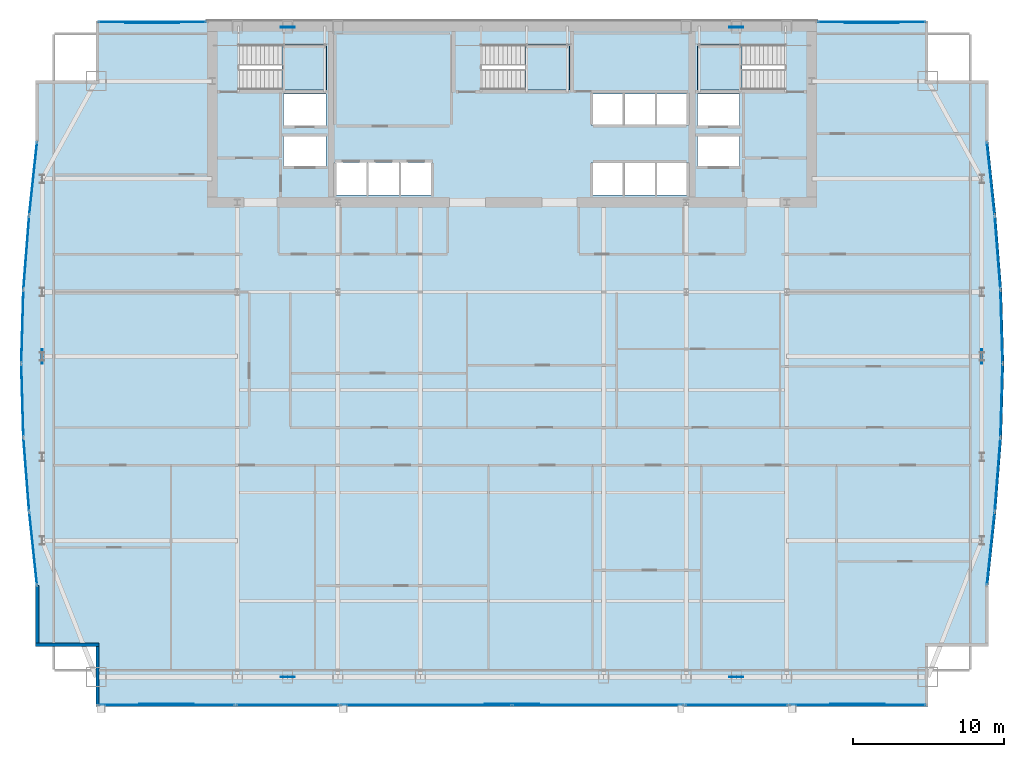
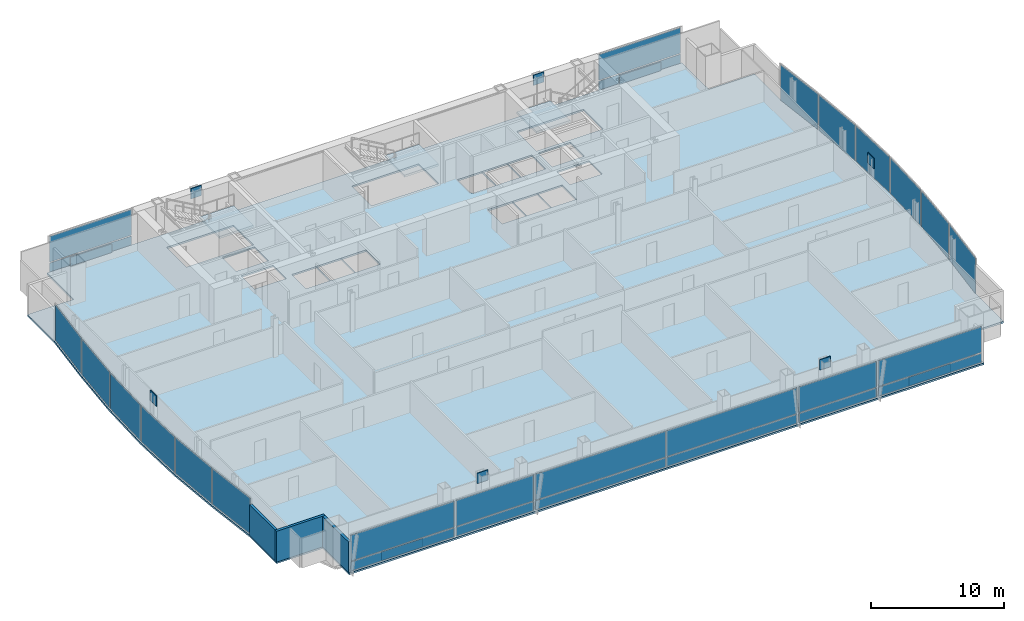
# One storey, part 23 of 29: 39 plates, 4 slabs, 3 walls, 22 elements without a shape of their own.
"""IFC4 building model written with IfcOpenShell, lengths in metres."""

from ifc_helpers import new_model, si_unit, direction, frame, frame_2d, origin, origin_2d, place, context, subcontext, project, spatial, polyline, rectangle, outline, extrude, material, layer, layer_set, type_object, element, aggregate, save


model = new_model("IFC4")

# Units and contexts
model_context = context("Model", 3, precision=1e-05, world=origin(), true_north=direction((0.0, 1.0)))
body_context = subcontext(model_context, "Body", "Model", "MODEL_VIEW")
ifc_project = project(units=[si_unit("LENGTHUNIT", "METRE"), si_unit("AREAUNIT", "SQUARE_METRE"), si_unit("VOLUMEUNIT", "CUBIC_METRE"), si_unit("PLANEANGLEUNIT", "RADIAN"), si_unit("MASSUNIT", "GRAM", prefix="KILO")], contexts=[model_context])

# Site, building, storey
site_placement = place(None, origin())
site = spatial("IfcSite", under=ifc_project, at=site_placement, CompositionType="ELEMENT")
building_placement = place(site_placement, origin())
building = spatial("IfcBuilding", under=site, at=building_placement, Name="Khoronbel Lancet Exchange", CompositionType="ELEMENT")
storey_placement = place(building_placement, frame((0.0, 0.0, 143.39990234375)))
storey = spatial("IfcBuildingStorey", under=building, at=storey_placement, Name="L35", CompositionType="ELEMENT", Elevation=143.39990234375)

# Curtain wall, plate
ifc_material_1 = material(Name="Low-E Solar Control Insulating Glass", Category="glass")
curtain_wall_type_1 = type_object("IfcCurtainWallType", Name="CW-4", PredefinedType="NOTDEFINED", material=ifc_material_1)
curtain_wall_1_placement = place(storey_placement, origin())
curtain_wall_1 = element("IfcCurtainWall", 1, at=curtain_wall_1_placement, inside=storey, type_object=curtain_wall_type_1, Name="Unitised curtain wall CW-L35-E05", PredefinedType="NOTDEFINED")
ifc_material_2 = material(Name="Bronze-Anodised Aluminium 6063-T6", Category="aluminium")
ifc_layer_1 = layer(ifc_material_2, 0.050048828125, Name="Bronze-Anodised Aluminium 6063-T6")
ifc_layer_set_1 = layer_set([ifc_layer_1], Name="Bronze-Anodised Aluminium 6063-T6")
plate_type_1 = type_object("IfcPlateType", Name="PLT-CSP1", PredefinedType="SHEET", material=ifc_layer_set_1)
plate_1_placement = place(storey_placement, frame((4.22265625, 23.58154296875, 0.085205078125), z_axis=(0.0, 0.0, 1.0), x_axis=(-0.077920756627, 0.996959555693, 0.0)))
plate_1 = element("IfcPlate", 2, at=plate_1_placement, type_object=plate_type_1, Name="CW4 panel 1.1", PredefinedType="CURTAIN_PANEL", context=body_context, shape_type="SweptSolid", body=[
    extrude(rectangle(XDim=4.778076171875, YDim=0.0380859375, at=origin_2d()), origin(), (0.0, 0.0, 1.0), 3.27001953125),
])
aggregate(curtain_wall_1, [plate_1])

curtain_wall_2_placement = place(storey_placement, origin())
curtain_wall_2 = element("IfcCurtainWall", 3, at=curtain_wall_2_placement, inside=storey, type_object=curtain_wall_type_1, Name="Unitised curtain wall CW-L35-E06", PredefinedType="NOTDEFINED")
plate_2_placement = place(storey_placement, frame((3.960205078125, 28.494140625, 0.085205078125), z_axis=(0.0, 0.0, 1.0), x_axis=(-0.028612641702, 0.999590574553, 0.0)))
plate_2 = element("IfcPlate", 4, at=plate_2_placement, type_object=plate_type_1, Name="CW4 panel 1.1", PredefinedType="CURTAIN_PANEL", context=body_context, shape_type="SweptSolid", body=[
    extrude(rectangle(XDim=4.763916015625, YDim=0.0380859375, at=origin_2d()), origin(), (0.0, 0.0, 1.0), 3.27001953125),
])
aggregate(curtain_wall_2, [plate_2])

curtain_wall_3_placement = place(storey_placement, origin())
curtain_wall_3 = element("IfcCurtainWall", 5, at=curtain_wall_3_placement, inside=storey, type_object=curtain_wall_type_1, Name="Unitised curtain wall CW-L35-E07", PredefinedType="NOTDEFINED")
plate_3_placement = place(storey_placement, frame((3.960205078125, 33.406005859375, 0.085205078125), z_axis=(0.0, 0.0, 1.0), x_axis=(0.028612641702, 0.999590574553, 0.0)))
plate_3 = element("IfcPlate", 6, at=plate_3_placement, type_object=plate_type_1, Name="CW4 panel 1.1", PredefinedType="CURTAIN_PANEL", context=body_context, shape_type="SweptSolid", body=[
    extrude(rectangle(XDim=4.763916015625, YDim=0.0380859375, at=origin_2d()), origin(), (0.0, 0.0, 1.0), 3.27001953125),
])
aggregate(curtain_wall_3, [plate_3])

curtain_wall_4_placement = place(storey_placement, origin())
curtain_wall_4 = element("IfcCurtainWall", 7, at=curtain_wall_4_placement, inside=storey, type_object=curtain_wall_type_1, Name="Unitised curtain wall CW-L35-E08", PredefinedType="NOTDEFINED")
plate_4_placement = place(storey_placement, frame((4.22265625, 38.318359375, 0.085205078125), z_axis=(0.0, 0.0, 1.0), x_axis=(0.077920756627, 0.996959555693, 0.0)))
plate_4 = element("IfcPlate", 8, at=plate_4_placement, type_object=plate_type_1, Name="CW4 panel 1.1", PredefinedType="CURTAIN_PANEL", context=body_context, shape_type="SweptSolid", body=[
    extrude(rectangle(XDim=4.778076171875, YDim=0.0380859375, at=origin_2d()), origin(), (0.0, 0.0, 1.0), 3.27001953125),
])
aggregate(curtain_wall_4, [plate_4])

curtain_wall_type_2 = type_object("IfcCurtainWallType", Name="CW-3", PredefinedType="NOTDEFINED", material=ifc_material_1)
curtain_wall_5_placement = place(storey_placement, origin())
curtain_wall_5 = element("IfcCurtainWall", 9, at=curtain_wall_5_placement, inside=storey, type_object=curtain_wall_type_2, Name="Unitised curtain wall CW-L35-NWFLK", PredefinedType="NOTDEFINED")
plate_5_placement = place(storey_placement, frame((12.580078125, 53.550048828125, 0.05029296875), z_axis=(0.0, 0.0, 1.0), x_axis=(-1.0, 0.0, 0.0)))
plate_5 = element("IfcPlate", 10, at=plate_5_placement, type_object=plate_type_1, Name="Insulated bronze spandrel cassette CW-L35-NWFLK", PredefinedType="SHEET", context=body_context, shape_type="SweptSolid", body=[
    extrude(rectangle(XDim=3.60009765625, YDim=0.050048828125, at=origin_2d()), origin(), (0.0, 0.0, 1.0), 0.800048828125),
])

curtain_wall_6_placement = place(storey_placement, origin())
curtain_wall_6 = element("IfcCurtainWall", 11, at=curtain_wall_6_placement, inside=storey, type_object=curtain_wall_type_2, Name="Unitised curtain wall CW-L35-NEFLK", PredefinedType="NOTDEFINED")
plate_6_placement = place(storey_placement, frame((60.320068359375, 53.550048828125, 0.05029296875), z_axis=(0.0, 0.0, 1.0), x_axis=(-1.0, 0.0, 0.0)))
plate_6 = element("IfcPlate", 12, at=plate_6_placement, type_object=plate_type_1, Name="Insulated bronze spandrel cassette CW-L35-NEFLK", PredefinedType="SHEET", context=body_context, shape_type="SweptSolid", body=[
    extrude(rectangle(XDim=3.60009765625, YDim=0.050048828125, at=origin_2d()), origin(), (0.0, 0.0, 1.0), 0.800048828125),
])

curtain_wall_7_placement = place(storey_placement, origin())
curtain_wall_7 = element("IfcCurtainWall", 13, at=curtain_wall_7_placement, inside=storey, type_object=curtain_wall_type_1, Name="Unitised curtain wall CW-L35-E18", PredefinedType="NOTDEFINED")
plate_7_placement = place(storey_placement, frame((68.677490234375, 38.318359375, 0.085205078125), z_axis=(0.0, 0.0, 1.0), x_axis=(0.077920756627, -0.996959555693, 0.0)))
plate_7 = element("IfcPlate", 14, at=plate_7_placement, type_object=plate_type_1, Name="CW4 panel 1.1", PredefinedType="CURTAIN_PANEL", context=body_context, shape_type="SweptSolid", body=[
    extrude(rectangle(XDim=4.778076171875, YDim=0.0380859375, at=origin_2d()), origin(), (0.0, 0.0, 1.0), 3.27001953125),
])
aggregate(curtain_wall_7, [plate_7])

curtain_wall_8_placement = place(storey_placement, origin())
curtain_wall_8 = element("IfcCurtainWall", 15, at=curtain_wall_8_placement, inside=storey, type_object=curtain_wall_type_1, Name="Unitised curtain wall CW-L35-E19", PredefinedType="NOTDEFINED")
plate_8_placement = place(storey_placement, frame((68.939697265625, 33.406005859375, 0.085205078125), z_axis=(0.0, 0.0, 1.0), x_axis=(0.028612641702, -0.999590574553, 0.0)))
plate_8 = element("IfcPlate", 16, at=plate_8_placement, type_object=plate_type_1, Name="CW4 panel 1.1", PredefinedType="CURTAIN_PANEL", context=body_context, shape_type="SweptSolid", body=[
    extrude(rectangle(XDim=4.763916015625, YDim=0.0380859375, at=origin_2d()), origin(), (0.0, 0.0, 1.0), 3.27001953125),
])
aggregate(curtain_wall_8, [plate_8])

curtain_wall_9_placement = place(storey_placement, origin())
curtain_wall_9 = element("IfcCurtainWall", 17, at=curtain_wall_9_placement, inside=storey, type_object=curtain_wall_type_1, Name="Unitised curtain wall CW-L35-E20", PredefinedType="NOTDEFINED")
plate_9_placement = place(storey_placement, frame((68.939697265625, 28.494140625, 0.085205078125), z_axis=(0.0, 0.0, 1.0), x_axis=(-0.028612641702, -0.999590574553, 0.0)))
plate_9 = element("IfcPlate", 18, at=plate_9_placement, type_object=plate_type_1, Name="CW4 panel 1.1", PredefinedType="CURTAIN_PANEL", context=body_context, shape_type="SweptSolid", body=[
    extrude(rectangle(XDim=4.763916015625, YDim=0.0380859375, at=origin_2d()), origin(), (0.0, 0.0, 1.0), 3.27001953125),
])
aggregate(curtain_wall_9, [plate_9])

curtain_wall_10_placement = place(storey_placement, origin())
curtain_wall_10 = element("IfcCurtainWall", 19, at=curtain_wall_10_placement, inside=storey, type_object=curtain_wall_type_1, Name="Unitised curtain wall CW-L35-E21", PredefinedType="NOTDEFINED")
plate_10_placement = place(storey_placement, frame((68.677490234375, 23.58154296875, 0.085205078125), z_axis=(0.0, 0.0, 1.0), x_axis=(-0.077920756627, -0.996959555693, 0.0)))
plate_10 = element("IfcPlate", 20, at=plate_10_placement, type_object=plate_type_1, Name="CW4 panel 1.1", PredefinedType="CURTAIN_PANEL", context=body_context, shape_type="SweptSolid", body=[
    extrude(rectangle(XDim=4.778076171875, YDim=0.0380859375, at=origin_2d()), origin(), (0.0, 0.0, 1.0), 3.27001953125),
])
aggregate(curtain_wall_10, [plate_10])

curtain_wall_11_placement = place(storey_placement, origin())
curtain_wall_11 = element("IfcCurtainWall", 21, at=curtain_wall_11_placement, inside=storey, type_object=curtain_wall_type_2, Name="Unitised curtain wall CW-L35-SWV", PredefinedType="NOTDEFINED")
plate_11_placement = place(storey_placement, frame((13.52001953125, 8.35009765625, 0.05029296875), z_axis=(0.0, 0.0, 1.0), x_axis=(1.0, 0.0, 0.0)))
plate_11 = element("IfcPlate", 22, at=plate_11_placement, type_object=plate_type_1, Name="Insulated bronze spandrel cassette CW-L35-SWV", PredefinedType="SHEET", context=body_context, shape_type="SweptSolid", body=[
    extrude(rectangle(XDim=3.60009765625, YDim=0.050048828125, at=origin_2d()), origin(), (0.0, 0.0, 1.0), 0.800048828125),
])

# Curtain wall, plates
curtain_wall_12_placement = place(storey_placement, origin())
curtain_wall_12 = element("IfcCurtainWall", 23, at=curtain_wall_12_placement, inside=storey, type_object=curtain_wall_type_2, Name="Unitised curtain wall CW-L35-SWB", PredefinedType="NOTDEFINED")
plate_12_placement = place(storey_placement, frame((21.550048828125, 8.2900390625, 0.0849609375), z_axis=(0.0, 0.0, 1.0), x_axis=(1.0, 0.0, 0.0)))
plate_12 = element("IfcPlate", 24, at=plate_12_placement, type_object=plate_type_1, Name="CW3 panel 1.1", PredefinedType="CURTAIN_PANEL", context=body_context, shape_type="SweptSolid", body=[
    extrude(rectangle(XDim=6.72998046875, YDim=0.0380859375, at=origin_2d()), origin(), (0.0, 0.0, 1.0), 0.822509765625),
])
plate_13_placement = place(storey_placement, frame((21.550048828125, 8.2900390625, 0.99267578125), z_axis=(0.0, 0.0, 1.0), x_axis=(1.0, 0.0, 0.0)))
plate_13 = element("IfcPlate", 25, at=plate_13_placement, type_object=plate_type_1, Name="CW3 panel 1.2", PredefinedType="CURTAIN_PANEL", context=body_context, shape_type="SweptSolid", body=[
    extrude(rectangle(XDim=6.72998046875, YDim=0.0380859375, at=origin_2d()), origin(), (0.0, 0.0, 1.0), 2.362548828125),
])
aggregate(curtain_wall_12, [plate_12, plate_13])

# Curtain wall, plate
curtain_wall_13_placement = place(storey_placement, origin())
curtain_wall_13 = element("IfcCurtainWall", 26, at=curtain_wall_13_placement, inside=storey, type_object=curtain_wall_type_2, Name="Unitised curtain wall CW-L35-SCV", PredefinedType="NOTDEFINED")
plate_14_placement = place(storey_placement, frame((36.449951171875, 8.35009765625, 0.05029296875), z_axis=(0.0, 0.0, 1.0), x_axis=(1.0, 0.0, 0.0)))
plate_14 = element("IfcPlate", 27, at=plate_14_placement, type_object=plate_type_1, Name="Insulated bronze spandrel cassette CW-L35-SCV", PredefinedType="SHEET", context=body_context, shape_type="SweptSolid", body=[
    extrude(rectangle(XDim=3.60009765625, YDim=0.050048828125, at=origin_2d()), origin(), (0.0, 0.0, 1.0), 0.800048828125),
])

# Curtain wall, plates
curtain_wall_14_placement = place(storey_placement, origin())
curtain_wall_14 = element("IfcCurtainWall", 28, at=curtain_wall_14_placement, inside=storey, type_object=curtain_wall_type_2, Name="Unitised curtain wall CW-L35-SEB", PredefinedType="NOTDEFINED")
plate_15_placement = place(storey_placement, frame((51.35009765625, 8.2900390625, 0.0849609375), z_axis=(0.0, 0.0, 1.0), x_axis=(1.0, 0.0, 0.0)))
plate_15 = element("IfcPlate", 29, at=plate_15_placement, type_object=plate_type_1, Name="CW3 panel 1.1", PredefinedType="CURTAIN_PANEL", context=body_context, shape_type="SweptSolid", body=[
    extrude(rectangle(XDim=6.72998046875, YDim=0.0380859375, at=origin_2d()), origin(), (0.0, 0.0, 1.0), 0.822509765625),
])
plate_16_placement = place(storey_placement, frame((51.35009765625, 8.2900390625, 0.99267578125), z_axis=(0.0, 0.0, 1.0), x_axis=(1.0, 0.0, 0.0)))
plate_16 = element("IfcPlate", 30, at=plate_16_placement, type_object=plate_type_1, Name="CW3 panel 1.2", PredefinedType="CURTAIN_PANEL", context=body_context, shape_type="SweptSolid", body=[
    extrude(rectangle(XDim=6.72998046875, YDim=0.0380859375, at=origin_2d()), origin(), (0.0, 0.0, 1.0), 2.362548828125),
])
aggregate(curtain_wall_14, [plate_15, plate_16])

# Curtain wall, plate
curtain_wall_15_placement = place(storey_placement, origin())
curtain_wall_15 = element("IfcCurtainWall", 31, at=curtain_wall_15_placement, inside=storey, type_object=curtain_wall_type_2, Name="Unitised curtain wall CW-L35-SEV", PredefinedType="NOTDEFINED")
plate_17_placement = place(storey_placement, frame((59.3798828125, 8.35009765625, 0.05029296875), z_axis=(0.0, 0.0, 1.0), x_axis=(1.0, 0.0, 0.0)))
plate_17 = element("IfcPlate", 32, at=plate_17_placement, type_object=plate_type_1, Name="Insulated bronze spandrel cassette CW-L35-SEV", PredefinedType="SHEET", context=body_context, shape_type="SweptSolid", body=[
    extrude(rectangle(XDim=3.60009765625, YDim=0.050048828125, at=origin_2d()), origin(), (0.0, 0.0, 1.0), 0.800048828125),
])

# Plate
ifc_layer_2 = layer(ifc_material_1, 0.035888671875, Name="Low-E Solar Control Insulating Glass")
ifc_layer_set_2 = layer_set([ifc_layer_2], Name="Low-E Solar Control Insulating Glass")
plate_type_2 = type_object("IfcPlateType", Name="PLT-CWP1", PredefinedType="CURTAIN_PANEL", material=ifc_layer_set_2)
plate_18_placement = place(storey_placement, frame((12.580078125, 53.610107421875, 0.0849609375), z_axis=(0.0, 0.0, 1.0), x_axis=(-1.0, 0.0, 0.0)))
plate_18 = element("IfcPlate", 33, at=plate_18_placement, type_object=plate_type_2, Name="CW3 panel 1.1", PredefinedType="CURTAIN_PANEL", context=body_context, shape_type="SweptSolid", body=[
    extrude(rectangle(XDim=7.110107421875, YDim=0.0380859375, at=origin_2d()), origin(), (0.0, 0.0, 1.0), 0.822509765625),
])

plate_19_placement = place(storey_placement, frame((12.580078125, 53.610107421875, 0.99267578125), z_axis=(0.0, 0.0, 1.0), x_axis=(-1.0, 0.0, 0.0)))
plate_19 = element("IfcPlate", 34, at=plate_19_placement, type_object=plate_type_2, Name="CW3 panel 1.2", PredefinedType="CURTAIN_PANEL", context=body_context, shape_type="SweptSolid", body=[
    extrude(rectangle(XDim=7.110107421875, YDim=0.0380859375, at=origin_2d()), origin(), (0.0, 0.0, 1.0), 2.362548828125),
])

aggregate(curtain_wall_5, [plate_18, plate_19, plate_5])

plate_20_placement = place(storey_placement, frame((60.320068359375, 53.610107421875, 0.0849609375), z_axis=(0.0, 0.0, 1.0), x_axis=(-1.0, 0.0, 0.0)))
plate_20 = element("IfcPlate", 35, at=plate_20_placement, type_object=plate_type_2, Name="CW3 panel 1.1", PredefinedType="CURTAIN_PANEL", context=body_context, shape_type="SweptSolid", body=[
    extrude(rectangle(XDim=7.110107421875, YDim=0.0380859375, at=origin_2d()), origin(), (0.0, 0.0, 1.0), 0.822509765625),
])

plate_21_placement = place(storey_placement, frame((60.320068359375, 53.610107421875, 0.99267578125), z_axis=(0.0, 0.0, 1.0), x_axis=(-1.0, 0.0, 0.0)))
plate_21 = element("IfcPlate", 36, at=plate_21_placement, type_object=plate_type_2, Name="CW3 panel 1.2", PredefinedType="CURTAIN_PANEL", context=body_context, shape_type="SweptSolid", body=[
    extrude(rectangle(XDim=7.110107421875, YDim=0.0380859375, at=origin_2d()), origin(), (0.0, 0.0, 1.0), 2.362548828125),
])

aggregate(curtain_wall_6, [plate_20, plate_21, plate_6])

plate_22_placement = place(storey_placement, frame((13.52001953125, 8.2900390625, 0.0849609375), z_axis=(0.0, 0.0, 1.0), x_axis=(1.0, 0.0, 0.0)))
plate_22 = element("IfcPlate", 37, at=plate_22_placement, type_object=plate_type_2, Name="CW3 panel 1.1", PredefinedType="CURTAIN_PANEL", context=body_context, shape_type="SweptSolid", body=[
    extrude(rectangle(XDim=8.989990234375, YDim=0.0380859375, at=origin_2d()), origin(), (0.0, 0.0, 1.0), 0.822509765625),
])

plate_23_placement = place(storey_placement, frame((13.52001953125, 8.2900390625, 0.99267578125), z_axis=(0.0, 0.0, 1.0), x_axis=(1.0, 0.0, 0.0)))
plate_23 = element("IfcPlate", 38, at=plate_23_placement, type_object=plate_type_2, Name="CW3 panel 1.2", PredefinedType="CURTAIN_PANEL", context=body_context, shape_type="SweptSolid", body=[
    extrude(rectangle(XDim=8.989990234375, YDim=0.0380859375, at=origin_2d()), origin(), (0.0, 0.0, 1.0), 2.362548828125),
])

aggregate(curtain_wall_11, [plate_22, plate_23, plate_11])

plate_24_placement = place(storey_placement, frame((30.746337890625, 8.2900390625, 0.0849609375), z_axis=(0.0, 0.0, 1.0), x_axis=(1.0, 0.0, 0.0)))
plate_24 = element("IfcPlate", 39, at=plate_24_placement, type_object=plate_type_2, Name="CW3 panel 1.1", PredefinedType="CURTAIN_PANEL", context=body_context, shape_type="SweptSolid", body=[
    extrude(rectangle(XDim=11.322509765625, YDim=0.0380859375, at=origin_2d()), origin(), (0.0, 0.0, 1.0), 0.822509765625),
])

plate_25_placement = place(storey_placement, frame((30.746337890625, 8.2900390625, 0.99267578125), z_axis=(0.0, 0.0, 1.0), x_axis=(1.0, 0.0, 0.0)))
plate_25 = element("IfcPlate", 40, at=plate_25_placement, type_object=plate_type_2, Name="CW3 panel 1.2", PredefinedType="CURTAIN_PANEL", context=body_context, shape_type="SweptSolid", body=[
    extrude(rectangle(XDim=11.322509765625, YDim=0.0380859375, at=origin_2d()), origin(), (0.0, 0.0, 1.0), 2.362548828125),
])

plate_26_placement = place(storey_placement, frame((42.15380859375, 8.2900390625, 0.0849609375), z_axis=(0.0, 0.0, 1.0), x_axis=(1.0, 0.0, 0.0)))
plate_26 = element("IfcPlate", 41, at=plate_26_placement, type_object=plate_type_2, Name="CW3 panel 2.1", PredefinedType="CURTAIN_PANEL", context=body_context, shape_type="SweptSolid", body=[
    extrude(rectangle(XDim=11.322509765625, YDim=0.0380859375, at=origin_2d()), origin(), (0.0, 0.0, 1.0), 0.822509765625),
])

plate_27_placement = place(storey_placement, frame((42.15380859375, 8.2900390625, 0.99267578125), z_axis=(0.0, 0.0, 1.0), x_axis=(1.0, 0.0, 0.0)))
plate_27 = element("IfcPlate", 42, at=plate_27_placement, type_object=plate_type_2, Name="CW3 panel 2.2", PredefinedType="CURTAIN_PANEL", context=body_context, shape_type="SweptSolid", body=[
    extrude(rectangle(XDim=11.322509765625, YDim=0.0380859375, at=origin_2d()), origin(), (0.0, 0.0, 1.0), 2.362548828125),
])

aggregate(curtain_wall_13, [plate_24, plate_25, plate_26, plate_27, plate_14])

plate_28_placement = place(storey_placement, frame((59.3798828125, 8.2900390625, 0.0849609375), z_axis=(0.0, 0.0, 1.0), x_axis=(1.0, 0.0, 0.0)))
plate_28 = element("IfcPlate", 43, at=plate_28_placement, type_object=plate_type_2, Name="CW3 panel 1.1", PredefinedType="CURTAIN_PANEL", context=body_context, shape_type="SweptSolid", body=[
    extrude(rectangle(XDim=8.989990234375, YDim=0.0380859375, at=origin_2d()), origin(), (0.0, 0.0, 1.0), 0.822509765625),
])

plate_29_placement = place(storey_placement, frame((59.3798828125, 8.2900390625, 0.99267578125), z_axis=(0.0, 0.0, 1.0), x_axis=(1.0, 0.0, 0.0)))
plate_29 = element("IfcPlate", 44, at=plate_29_placement, type_object=plate_type_2, Name="CW3 panel 1.2", PredefinedType="CURTAIN_PANEL", context=body_context, shape_type="SweptSolid", body=[
    extrude(rectangle(XDim=8.989990234375, YDim=0.0380859375, at=origin_2d()), origin(), (0.0, 0.0, 1.0), 2.362548828125),
])

aggregate(curtain_wall_15, [plate_28, plate_29, plate_17])

# Curtain wall, plate
curtain_wall_16_placement = place(storey_placement, origin())
curtain_wall_16 = element("IfcCurtainWall", 45, at=curtain_wall_16_placement, inside=storey, type_object=curtain_wall_type_1, Name="Unitised curtain wall CW-L35-E04", PredefinedType="NOTDEFINED")
ifc_material_3 = material(Name="Ceramic-Fritted Laminated Insulating Glass", Category="glass")
ifc_layer_3 = layer(ifc_material_3, 0.0419921875, Name="Ceramic-Fritted Laminated Insulating Glass")
ifc_layer_set_3 = layer_set([ifc_layer_3], Name="Ceramic-Fritted Laminated Insulating Glass")
plate_type_3 = type_object("IfcPlateType", Name="PLT-CWP2", PredefinedType="CURTAIN_PANEL", material=ifc_layer_set_3)
plate_30_placement = place(storey_placement, frame((4.67724609375, 18.664794921875, 0.085205078125), z_axis=(0.0, 0.0, 1.0), x_axis=(-0.106180610586, 0.994346859972, 0.0)))
plate_30 = element("IfcPlate", 46, at=plate_30_placement, type_object=plate_type_3, Name="CW4 panel 1.1", PredefinedType="CURTAIN_PANEL", context=body_context, shape_type="SweptSolid", body=[
    extrude(rectangle(XDim=4.798095703125, YDim=0.0380859375, at=origin_2d()), origin(), (0.0, 0.0, 1.0), 3.27001953125),
])
aggregate(curtain_wall_16, [plate_30])

curtain_wall_17_placement = place(storey_placement, origin())
curtain_wall_17 = element("IfcCurtainWall", 47, at=curtain_wall_17_placement, inside=storey, type_object=curtain_wall_type_1, Name="Unitised curtain wall CW-L35-E09", PredefinedType="NOTDEFINED")
plate_31_placement = place(storey_placement, frame((4.67724609375, 43.235107421875, 0.085205078125), z_axis=(0.0, 0.0, 1.0), x_axis=(0.106180610586, 0.994346859972, 0.0)))
plate_31 = element("IfcPlate", 48, at=plate_31_placement, type_object=plate_type_3, Name="CW4 panel 1.1", PredefinedType="CURTAIN_PANEL", context=body_context, shape_type="SweptSolid", body=[
    extrude(rectangle(XDim=4.798095703125, YDim=0.0380859375, at=origin_2d()), origin(), (0.0, 0.0, 1.0), 3.27001953125),
])
aggregate(curtain_wall_17, [plate_31])

curtain_wall_18_placement = place(storey_placement, origin())
curtain_wall_18 = element("IfcCurtainWall", 49, at=curtain_wall_18_placement, inside=storey, type_object=curtain_wall_type_1, Name="Unitised curtain wall CW-L35-E17", PredefinedType="NOTDEFINED")
plate_32_placement = place(storey_placement, frame((68.22265625, 43.235107421875, 0.085205078125), z_axis=(0.0, 0.0, 1.0), x_axis=(0.106180610586, -0.994346859972, 0.0)))
plate_32 = element("IfcPlate", 50, at=plate_32_placement, type_object=plate_type_3, Name="CW4 panel 1.1", PredefinedType="CURTAIN_PANEL", context=body_context, shape_type="SweptSolid", body=[
    extrude(rectangle(XDim=4.798095703125, YDim=0.0380859375, at=origin_2d()), origin(), (0.0, 0.0, 1.0), 3.27001953125),
])
aggregate(curtain_wall_18, [plate_32])

curtain_wall_19_placement = place(storey_placement, origin())
curtain_wall_19 = element("IfcCurtainWall", 51, at=curtain_wall_19_placement, inside=storey, type_object=curtain_wall_type_1, Name="Unitised curtain wall CW-L35-E22", PredefinedType="NOTDEFINED")
plate_33_placement = place(storey_placement, frame((68.22265625, 18.664794921875, 0.085205078125), z_axis=(0.0, 0.0, 1.0), x_axis=(-0.106180610586, -0.994346859972, 0.0)))
plate_33 = element("IfcPlate", 52, at=plate_33_placement, type_object=plate_type_3, Name="CW4 panel 1.1", PredefinedType="CURTAIN_PANEL", context=body_context, shape_type="SweptSolid", body=[
    extrude(rectangle(XDim=4.798095703125, YDim=0.0380859375, at=origin_2d()), origin(), (0.0, 0.0, 1.0), 3.27001953125),
])
aggregate(curtain_wall_19, [plate_33])

# Plates
ifc_material_4 = material(Name="Steel S460", Category="steel")
ifc_layer_4 = layer(ifc_material_4, 0.06005859375, Name="Steel S460")
ifc_layer_set_4 = layer_set([ifc_layer_4], Name="Steel S460")
plate_type_4 = type_object("IfcPlateType", Name="PLT-ND2", PredefinedType="USERDEFINED", material=ifc_layer_set_4)
for number, where, z_axis, x_axis, name in (
    (53, (21.5625, 10.14990234375, 2.77490234375), (0.0, 0.0, 1.0), (1.0, 0.0, 0.0), "ND2 perimeter brace node gusset T11-S-W"),
    (54, (51.33740234375, 10.14990234375, 2.77490234375), (0.0, 0.0, 1.0), (1.0, 0.0, 0.0), "ND2 perimeter brace node gusset T11-S-E"),
    (55, (21.5625, 53.280029296875, 2.77490234375), (0.0, 0.0, 1.0), (1.0, 0.0, 0.0), "ND2 perimeter brace node gusset T11-N-W"),
    (56, (51.33740234375, 53.280029296875, 2.77490234375), (0.0, 0.0, 1.0), (1.0, 0.0, 0.0), "ND2 perimeter brace node gusset T11-N-E"),
    (57, (5.27001953125, 31.425048828125, 2.77490234375), (0.0, 0.0, 1.0), (0.0, 1.0, 0.0), "ND2 perimeter brace node gusset T11-W-P"),
    (58, (67.6298828125, 31.425048828125, 2.77490234375), (0.0, 0.0, 1.0), (0.0, 1.0, 0.0), "ND2 perimeter brace node gusset T11-E-P"),
):
    element("IfcPlate", number, at=place(storey_placement, frame(where, z_axis=z_axis, x_axis=x_axis)), inside=storey, type_object=plate_type_4, Name=name, ObjectType="GUSSET_PLATE", PredefinedType="USERDEFINED", context=body_context, shape_type="SweptSolid", body=[
        extrude(rectangle(XDim=0.949951171875, YDim=0.06005859375, at=origin_2d()), origin(), (0.0, 0.0, 1.0), 0.949951171875),
    ])

# Slab
ifc_material_5 = material(Name="Concrete C40/50", Category="concrete")
ifc_layer_5 = layer(ifc_material_5, 0.159912109375, Name="Concrete C40/50")
ifc_layer_set_5 = layer_set([ifc_layer_5], Name="Concrete C40/50")
slab_type_1 = type_object("IfcSlabType", Name="SL-FL160", PredefinedType="FLOOR", material=ifc_layer_set_5)
slab_1_placement = place(storey_placement, frame((0.0, 0.0, -0.159912109375)))
element("IfcSlab", 59, at=slab_1_placement, inside=storey, type_object=slab_type_1, Name="Level L35 composite structural floor slab", PredefinedType="FLOOR", context=body_context, shape_type="SweptSolid", body=[
    extrude(outline(polyline([(8.85009765625, 8.199951171875), (64.050048828125, 8.199951171875), (64.050048828125, 12.199951171875), (68.050048828125, 12.199951171875), (68.050048828125, 16.199951171875), (68.574951171875, 21.11669921875), (68.959228515625, 26.033203125), (69.10009765625, 30.949951171875), (68.959228515625, 35.86669921875), (68.574951171875, 40.783203125), (68.050048828125, 45.699951171875), (68.050048828125, 49.699951171875), (64.050048828125, 49.699951171875), (64.050048828125, 53.699951171875), (8.85009765625, 53.699951171875), (8.85009765625, 49.699951171875), (4.85009765625, 49.699951171875), (4.85009765625, 45.699951171875), (4.324951171875, 40.783203125), (3.940673828125, 35.86669921875), (3.800048828125, 30.949951171875), (3.940673828125, 26.033203125), (4.324951171875, 21.11669921875), (4.85009765625, 16.199951171875), (4.85009765625, 12.199951171875), (8.85009765625, 12.199951171875), (8.85009765625, 8.199951171875)]), holes=[polyline([(18.324951171875, 49.1201171875), (24.14990234375, 49.1201171875), (24.14990234375, 52.10009765625), (18.324951171875, 52.10009765625), (18.324951171875, 49.1201171875)]), polyline([(48.75, 49.1201171875), (54.574951171875, 49.1201171875), (54.574951171875, 52.10009765625), (48.75, 52.10009765625), (48.75, 49.1201171875)]), polyline([(34.425048828125, 49.1201171875), (40.25, 49.1201171875), (40.25, 52.10009765625), (34.425048828125, 52.10009765625), (34.425048828125, 49.1201171875)]), polyline([(24.699951171875, 42.14990234375), (26.840087890625, 42.14990234375), (26.840087890625, 44.300048828125), (24.699951171875, 44.300048828125), (24.699951171875, 42.14990234375)]), polyline([(26.860107421875, 42.14990234375), (29.0, 42.14990234375), (29.0, 44.300048828125), (26.860107421875, 44.300048828125), (26.860107421875, 42.14990234375)]), polyline([(29.02001953125, 42.14990234375), (31.159912109375, 42.14990234375), (31.159912109375, 44.300048828125), (29.02001953125, 44.300048828125), (29.02001953125, 42.14990234375)]), polyline([(41.739990234375, 46.75), (43.8798828125, 46.75), (43.8798828125, 48.85009765625), (41.739990234375, 48.85009765625), (41.739990234375, 46.75)]), polyline([(43.89990234375, 46.75), (46.0400390625, 46.75), (46.0400390625, 48.85009765625), (43.89990234375, 48.85009765625), (43.89990234375, 46.75)]), polyline([(46.06005859375, 46.75), (48.199951171875, 46.75), (48.199951171875, 48.85009765625), (46.06005859375, 48.85009765625), (46.06005859375, 46.75)]), polyline([(41.739990234375, 42.14990234375), (43.8798828125, 42.14990234375), (43.8798828125, 44.300048828125), (41.739990234375, 44.300048828125), (41.739990234375, 42.14990234375)]), polyline([(43.89990234375, 42.14990234375), (46.0400390625, 42.14990234375), (46.0400390625, 44.300048828125), (43.89990234375, 44.300048828125), (43.89990234375, 42.14990234375)]), polyline([(46.06005859375, 42.14990234375), (48.199951171875, 42.14990234375), (48.199951171875, 44.300048828125), (46.06005859375, 44.300048828125), (46.06005859375, 42.14990234375)]), polyline([(21.300048828125, 46.75), (24.10009765625, 46.75), (24.10009765625, 48.85009765625), (21.300048828125, 48.85009765625), (21.300048828125, 46.75)]), polyline([(48.75, 46.75), (51.550048828125, 46.75), (51.550048828125, 48.85009765625), (48.75, 48.85009765625), (48.75, 46.75)]), polyline([(21.300048828125, 44.050048828125), (24.10009765625, 44.050048828125), (24.10009765625, 46.050048828125), (21.300048828125, 46.050048828125), (21.300048828125, 44.050048828125)]), polyline([(48.75, 44.050048828125), (51.550048828125, 44.050048828125), (51.550048828125, 46.050048828125), (48.75, 46.050048828125), (48.75, 44.050048828125)])]), origin(), (0.0, 0.0, 1.0), 0.159912109375),
])

# Stair, slab
stair_type = type_object("IfcStairType", Name="STR-CORE150", PredefinedType="HALF_TURN_STAIR", material=ifc_material_5)
stair_1_placement = place(storey_placement, origin())
stair_1 = element("IfcStair", 60, at=stair_1_placement, inside=storey, type_object=stair_type, Name="L35 Protected Exit Stair ST1", PredefinedType="HALF_TURN_STAIR")
ifc_layer_6 = layer(ifc_material_5, 0.199951171875, Name="Concrete C40/50")
ifc_layer_set_6 = layer_set([ifc_layer_6], Name="Concrete C40/50")
slab_type_2 = type_object("IfcSlabType", Name="SL-LND180", PredefinedType="LANDING", material=ifc_layer_set_6)
slab_2_placement = place(storey_placement, frame((0.0, 0.0, 1.60009765625)))
slab_2 = element("IfcSlab", 61, at=slab_2_placement, type_object=slab_type_2, Name="ST1 landing 1", PredefinedType="LANDING", context=body_context, shape_type="SweptSolid", body=[
    extrude(outline(polyline([(21.199951171875, 49.1201171875), (24.14990234375, 49.1201171875), (24.14990234375, 52.10009765625), (21.199951171875, 52.10009765625), (21.199951171875, 49.1201171875)])), origin(), (0.0, 0.0, 1.0), 0.199951171875),
])
aggregate(stair_1, [slab_2])

stair_2_placement = place(storey_placement, origin())
stair_2 = element("IfcStair", 62, at=stair_2_placement, inside=storey, type_object=stair_type, Name="L35 Protected Exit Stair ST2", PredefinedType="HALF_TURN_STAIR")
slab_3_placement = place(storey_placement, frame((0.0, 0.0, 1.60009765625)))
slab_3 = element("IfcSlab", 63, at=slab_3_placement, type_object=slab_type_2, Name="ST2 landing 1", PredefinedType="LANDING", context=body_context, shape_type="SweptSolid", body=[
    extrude(outline(polyline([(51.699951171875, 52.10009765625), (48.75, 52.10009765625), (48.75, 49.1201171875), (51.699951171875, 49.1201171875), (51.699951171875, 52.10009765625)])), origin(), (0.0, 0.0, 1.0), 0.199951171875),
])
aggregate(stair_2, [slab_3])

stair_3_placement = place(storey_placement, origin())
stair_3 = element("IfcStair", 64, at=stair_3_placement, inside=storey, type_object=stair_type, Name="L35 Protected Exit Stair ST3", PredefinedType="HALF_TURN_STAIR")
slab_4_placement = place(storey_placement, frame((0.0, 0.0, 1.60009765625)))
slab_4 = element("IfcSlab", 65, at=slab_4_placement, type_object=slab_type_2, Name="ST3 landing 1", PredefinedType="LANDING", context=body_context, shape_type="SweptSolid", body=[
    extrude(outline(polyline([(37.300048828125, 49.1201171875), (40.25, 49.1201171875), (40.25, 52.10009765625), (37.300048828125, 52.10009765625), (37.300048828125, 49.1201171875)])), origin(), (0.0, 0.0, 1.0), 0.199951171875),
])
aggregate(stair_3, [slab_4])

# Walls
ifc_material_6 = material(Name="Precast concrete C40/50", Category="concrete")
ifc_layer_7 = layer(ifc_material_6, 0.25, Name="Precast concrete C40/50")
ifc_layer_set_7 = layer_set([ifc_layer_7], Name="Precast concrete C40/50")
wall_type = type_object("IfcWallType", Name="WL-EXT250", PredefinedType="SOLIDWALL", material=ifc_layer_set_7)
wall_1_placement = place(storey_placement, frame((8.93994140625, 8.27001953125, 0.0), z_axis=(0.0, 0.0, 1.0), x_axis=(0.0, 1.0, 0.0)))
element("IfcWall", 66, at=wall_1_placement, inside=storey, type_object=wall_type, Name="Level L35 notched-corner limestone pier 01", PredefinedType="SOLIDWALL", context=body_context, shape_type="SweptSolid", body=[
    extrude(rectangle(XDim=3.909912109375, YDim=0.219970703125, at=frame_2d((1.955078125, 0.0))), origin(), (0.0, 0.0, 1.0), 2.830078125),
])
wall_2_placement = place(storey_placement, frame((9.050048828125, 12.2900390625, 0.0), z_axis=(0.0, 0.0, 1.0), x_axis=(-1.0, 0.0, 0.0)))
element("IfcWall", 67, at=wall_2_placement, inside=storey, type_object=wall_type, Name="Level L35 notched-corner limestone pier 02", PredefinedType="SOLIDWALL", context=body_context, shape_type="SweptSolid", body=[
    extrude(rectangle(XDim=4.219970703125, YDim=0.219970703125, at=frame_2d((2.10986328125, 0.0))), origin(), (0.0, 0.0, 1.0), 2.830078125),
])
wall_3_placement = place(storey_placement, frame((4.93994140625, 12.39990234375, 0.0), z_axis=(0.0, 0.0, 1.0), x_axis=(0.0, 1.0, 0.0)))
element("IfcWall", 68, at=wall_3_placement, inside=storey, type_object=wall_type, Name="Level L35 notched-corner limestone pier 03", PredefinedType="SOLIDWALL", context=body_context, shape_type="SweptSolid", body=[
    extrude(rectangle(XDim=3.824951171875, YDim=0.219970703125, at=frame_2d((1.91259765625, 0.0))), origin(), (0.0, 0.0, 1.0), 2.830078125),
])

save(model, "model.ifc")
